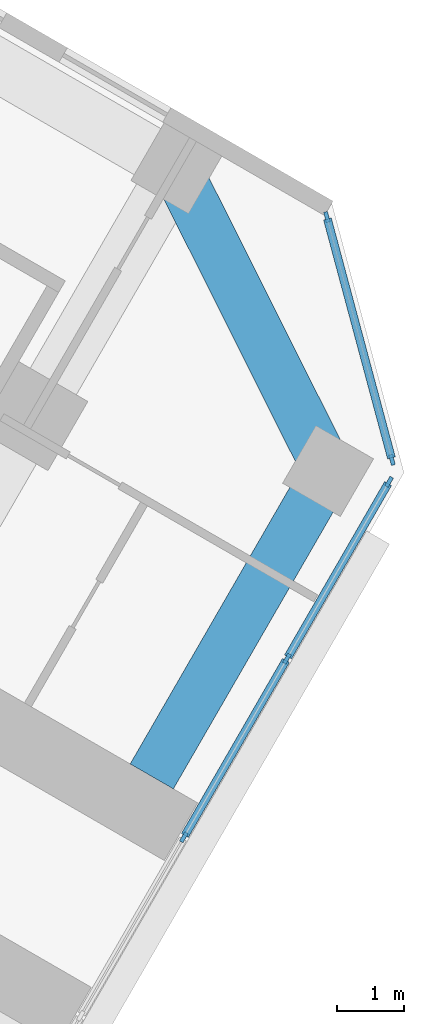
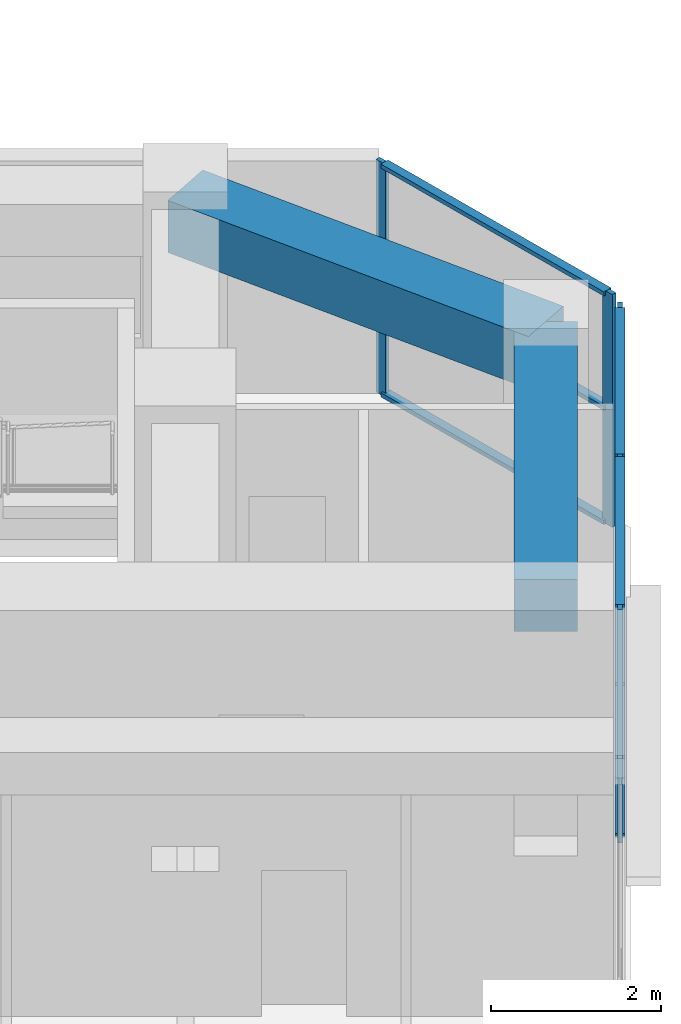
# One storey, part 8 of 21: 12 members, 2 beams, 2 elements without a shape of their own.
"""IFC4 building model written with IfcOpenShell, lengths in metres."""

from ifc_helpers import new_model, si_unit, direction, frame, origin, origin_2d, place, context, subcontext, project, spatial, rectangle, extrude, material, material_profile, profile_set, type_object, element, aggregate, save


model = new_model("IFC4")

# Units and contexts
model_context = context("Model", 3, precision=1e-05, world=origin(), true_north=direction((0.0, 1.0)))
body_context = subcontext(model_context, "Body", "Model", "MODEL_VIEW")
ifc_project = project(units=[si_unit("LENGTHUNIT", "METRE"), si_unit("AREAUNIT", "SQUARE_METRE"), si_unit("VOLUMEUNIT", "CUBIC_METRE"), si_unit("PLANEANGLEUNIT", "RADIAN"), si_unit("MASSUNIT", "GRAM", prefix="KILO")], contexts=[model_context])

# Site, building, storey
site_placement = place(None, origin())
site = spatial("IfcSite", under=ifc_project, at=site_placement, CompositionType="ELEMENT")
building_placement = place(site_placement, origin())
building = spatial("IfcBuilding", under=site, at=building_placement, Name="Kosmar Iwan School Tower", CompositionType="ELEMENT")
storey_placement = place(building_placement, frame((0.0, 0.0, 71.800048828125)))
storey = spatial("IfcBuildingStorey", under=building, at=storey_placement, Name="L17", CompositionType="ELEMENT", Elevation=71.800048828125)

# Curtain wall, members
ifc_material_1 = material(Name="Dark glass in black aluminium frame", Category="aluminium")
curtain_wall_type_1 = type_object("IfcCurtainWallType", Name="Tower curtain wall dark glass", PredefinedType="USERDEFINED", material=ifc_material_1)
curtain_wall_1_placement = place(storey_placement, origin())
curtain_wall_1 = element("IfcCurtainWall", 1, at=curtain_wall_1_placement, inside=storey, type_object=curtain_wall_type_1, Name="Curtain wall L17-F03", ObjectType="UNITISED CURTAIN WALL", PredefinedType="USERDEFINED")
ifc_material_2 = material(Name="Black anodised aluminium", Category="aluminium")
ifc_material_profile_1 = material_profile(ifc_material_2, rectangle(XDim=0.06005859375, YDim=0.159912109375, at=origin_2d()), Name="MULLION 60x160")
ifc_profile_set_1 = profile_set([ifc_material_profile_1], Name="Black anodised aluminium")
member_type_1 = type_object("IfcMemberType", Name="Mullion 60x160", PredefinedType="MULLION", material=ifc_profile_set_1)
member_1_placement = place(storey_placement, frame((30.631103515625, -15.8955078125, 0.0), z_axis=(0.0, 0.0, 1.0), x_axis=(-0.866025405329, 0.499999997325, 0.0)))
member_1 = element("IfcMember", 2, at=member_1_placement, type_object=member_type_1, Name="CW1 mullion 4", PredefinedType="MULLION", context=body_context, shape_type="SweptSolid", body=[
    extrude(rectangle(XDim=0.06005859375, YDim=0.159912109375, at=origin_2d()), origin(), (0.0, 0.0, 1.0), 3.349853515625),
])
member_2_placement = place(storey_placement, frame((32.1806640625, -13.21142578125, 0.0), z_axis=(0.0, 0.0, 1.0), x_axis=(-0.866025405329, 0.499999997325, 0.0)))
member_2 = element("IfcMember", 3, at=member_2_placement, type_object=member_type_1, Name="CW1 mullion 5", PredefinedType="MULLION", context=body_context, shape_type="SweptSolid", body=[
    extrude(rectangle(XDim=0.06005859375, YDim=0.159912109375, at=origin_2d()), origin(), (0.0, 0.0, 1.0), 3.349853515625),
])
member_3_placement = place(storey_placement, frame((33.71533203125, -10.55322265625, 0.0), z_axis=(0.0, 0.0, 1.0), x_axis=(-0.866025405329, 0.499999997325, 0.0)))
member_3 = element("IfcMember", 4, at=member_3_placement, type_object=member_type_1, Name="CW1 mullion 6", PredefinedType="MULLION", context=body_context, shape_type="SweptSolid", body=[
    extrude(rectangle(XDim=0.06005859375, YDim=0.159912109375, at=origin_2d()), origin(), (0.0, 0.0, 1.0), 3.349853515625),
])

ifc_material_3 = material(Name="Dark glass in black aluminium frame", Category="aluminium")
curtain_wall_type_2 = type_object("IfcCurtainWallType", Name="Chamfer curtain wall dark glass", PredefinedType="USERDEFINED", material=ifc_material_3)
curtain_wall_2_placement = place(storey_placement, origin())
curtain_wall_2 = element("IfcCurtainWall", 5, at=curtain_wall_2_placement, inside=storey, type_object=curtain_wall_type_2, Name="Curtain wall L17-F04", ObjectType="FACETED CURTAIN WALL", PredefinedType="USERDEFINED")
member_4_placement = place(storey_placement, frame((33.7587890625, -10.2236328125, 0.0), z_axis=(0.0, 0.0, 1.0), x_axis=(-0.965925875495, -0.258818861462, 0.0)))
member_4 = element("IfcMember", 6, at=member_4_placement, type_object=member_type_1, Name="CW2 mullion 1", PredefinedType="MULLION", context=body_context, shape_type="SweptSolid", body=[
    extrude(rectangle(XDim=0.06005859375, YDim=0.159912109375, at=origin_2d()), origin(), (0.0, 0.0, 1.0), 3.349853515625),
])
member_5_placement = place(storey_placement, frame((32.78076171875, -6.5732421875, 0.0), z_axis=(0.0, 0.0, 1.0), x_axis=(-0.965925875495, -0.258818861462, 0.0)))
member_5 = element("IfcMember", 7, at=member_5_placement, type_object=member_type_1, Name="CW2 mullion 2", PredefinedType="MULLION", context=body_context, shape_type="SweptSolid", body=[
    extrude(rectangle(XDim=0.06005859375, YDim=0.159912109375, at=origin_2d()), origin(), (0.0, 0.0, 1.0), 3.349853515625),
])

# Beams
ifc_material_4 = material(Name="Concrete C50/60", Category="concrete")
ifc_material_profile_2 = material_profile(ifc_material_4, rectangle(XDim=0.75, YDim=0.75, at=origin_2d()), Name="RC 750x750")
ifc_profile_set_2 = profile_set([ifc_material_profile_2], Name="Concrete C50/60")
beam_type = type_object("IfcBeamType", Name="RC tip beam 750x750", PredefinedType="BEAM", material=ifc_profile_set_2)
beam_1_placement = place(storey_placement, frame((30.517822265625, -5.841552734375, 2.974853515625), z_axis=(0.44809604203, -0.893985423325, 0.0), x_axis=(0.893985423325, 0.44809604203, 0.0)))
element("IfcBeam", 8, at=beam_1_placement, inside=storey, type_object=beam_type, Name="Tip beam CL", PredefinedType="BEAM", context=body_context, shape_type="SweptSolid", body=[
    extrude(rectangle(XDim=0.75, YDim=0.75, at=origin_2d()), origin(), (0.0, 0.0, 1.0), 5.08935546875),
])
beam_2_placement = place(storey_placement, frame((32.79833984375, -10.391357421875, 2.974853515625), z_axis=(-0.499973660256, -0.866040610509, 0.0), x_axis=(0.866040610509, -0.499973660256, 0.0)))
element("IfcBeam", 9, at=beam_2_placement, inside=storey, type_object=beam_type, Name="Tip beam CL to corridor wall", PredefinedType="BEAM", context=body_context, shape_type="SweptSolid", body=[
    extrude(rectangle(XDim=0.75, YDim=0.75, at=origin_2d()), origin(), (0.0, 0.0, 1.0), 5.300048828125),
])

# Member
ifc_material_5 = material(Name="Black anodised aluminium", Category="aluminium")
ifc_material_profile_3 = material_profile(ifc_material_5, rectangle(XDim=0.1201171875, YDim=0.06005859375, at=origin_2d()), Name="TRANSOM 60x120")
ifc_profile_set_3 = profile_set([ifc_material_profile_3], Name="Black anodised aluminium")
member_type_2 = type_object("IfcMemberType", Name="Transom 60x120", PredefinedType="USERDEFINED", material=ifc_profile_set_3)
member_6_placement = place(storey_placement, frame((30.64599609375, -15.869384765625, 0.030029296875), z_axis=(0.500035348339, 0.866004994449, 0.0), x_axis=(-0.866004994449, 0.500035348339, 0.0)))
member_6 = element("IfcMember", 10, at=member_6_placement, type_object=member_type_2, Name="CW1 transom 4.1", ObjectType="TRANSOM", PredefinedType="USERDEFINED", context=body_context, shape_type="SweptSolid", body=[
    extrude(rectangle(XDim=0.1201171875, YDim=0.06005859375, at=origin_2d()), origin(), (0.0, 0.0, 1.0), 3.039306640625),
])

member_7_placement = place(storey_placement, frame((30.64599609375, -15.869384765625, 3.320068359375), z_axis=(0.500035348339, 0.866004994449, 0.0), x_axis=(-0.866004994449, 0.500035348339, 0.0)))
member_7 = element("IfcMember", 11, at=member_7_placement, type_object=member_type_2, Name="CW1 transom 4.2", ObjectType="TRANSOM", PredefinedType="USERDEFINED", context=body_context, shape_type="SweptSolid", body=[
    extrude(rectangle(XDim=0.1201171875, YDim=0.06005859375, at=origin_2d()), origin(), (0.0, 0.0, 1.0), 3.039306640625),
])

member_8_placement = place(storey_placement, frame((32.19580078125, -13.185302734375, 0.030029296875), z_axis=(0.500022102064, 0.866012642776, 0.0), x_axis=(-0.866012642776, 0.500022102064, 0.0)))
member_8 = element("IfcMember", 12, at=member_8_placement, type_object=member_type_2, Name="CW1 transom 5.1", ObjectType="TRANSOM", PredefinedType="USERDEFINED", context=body_context, shape_type="SweptSolid", body=[
    extrude(rectangle(XDim=0.1201171875, YDim=0.06005859375, at=origin_2d()), origin(), (0.0, 0.0, 1.0), 3.009033203125),
])

member_9_placement = place(storey_placement, frame((32.19580078125, -13.185302734375, 3.320068359375), z_axis=(0.500022102064, 0.866012642776, 0.0), x_axis=(-0.866012642776, 0.500022102064, 0.0)))
member_9 = element("IfcMember", 13, at=member_9_placement, type_object=member_type_2, Name="CW1 transom 5.2", ObjectType="TRANSOM", PredefinedType="USERDEFINED", context=body_context, shape_type="SweptSolid", body=[
    extrude(rectangle(XDim=0.1201171875, YDim=0.06005859375, at=origin_2d()), origin(), (0.0, 0.0, 1.0), 3.009033203125),
])

aggregate(curtain_wall_1, [member_1, member_2, member_3, member_6, member_7, member_8, member_9])

member_10_placement = place(storey_placement, frame((33.7509765625, -10.194580078125, 0.030029296875), z_axis=(-0.258843273983, 0.965919333854, 0.0), x_axis=(-0.965919333854, -0.258843273983, 0.0)))
member_10 = element("IfcMember", 14, at=member_10_placement, type_object=member_type_2, Name="CW2 transom 1.1", ObjectType="TRANSOM", PredefinedType="USERDEFINED", context=body_context, shape_type="SweptSolid", body=[
    extrude(rectangle(XDim=0.1201171875, YDim=0.06005859375, at=origin_2d()), origin(), (0.0, 0.0, 1.0), 3.718994140625),
])

member_11_placement = place(storey_placement, frame((33.7509765625, -10.194580078125, 1.675048828125), z_axis=(-0.258843273983, 0.965919333854, 0.0), x_axis=(-0.965919333854, -0.258843273983, 0.0)))
member_11 = element("IfcMember", 15, at=member_11_placement, type_object=member_type_2, Name="CW2 transom 1.2", ObjectType="TRANSOM", PredefinedType="USERDEFINED", context=body_context, shape_type="SweptSolid", body=[
    extrude(rectangle(XDim=0.1201171875, YDim=0.06005859375, at=origin_2d()), origin(), (0.0, 0.0, 1.0), 3.718994140625),
])

member_12_placement = place(storey_placement, frame((33.7509765625, -10.194580078125, 3.320068359375), z_axis=(-0.258843273983, 0.965919333854, 0.0), x_axis=(-0.965919333854, -0.258843273983, 0.0)))
member_12 = element("IfcMember", 16, at=member_12_placement, type_object=member_type_2, Name="CW2 transom 1.3", ObjectType="TRANSOM", PredefinedType="USERDEFINED", context=body_context, shape_type="SweptSolid", body=[
    extrude(rectangle(XDim=0.1201171875, YDim=0.06005859375, at=origin_2d()), origin(), (0.0, 0.0, 1.0), 3.718994140625),
])

aggregate(curtain_wall_2, [member_4, member_5, member_10, member_11, member_12])

save(model, "model.ifc")
